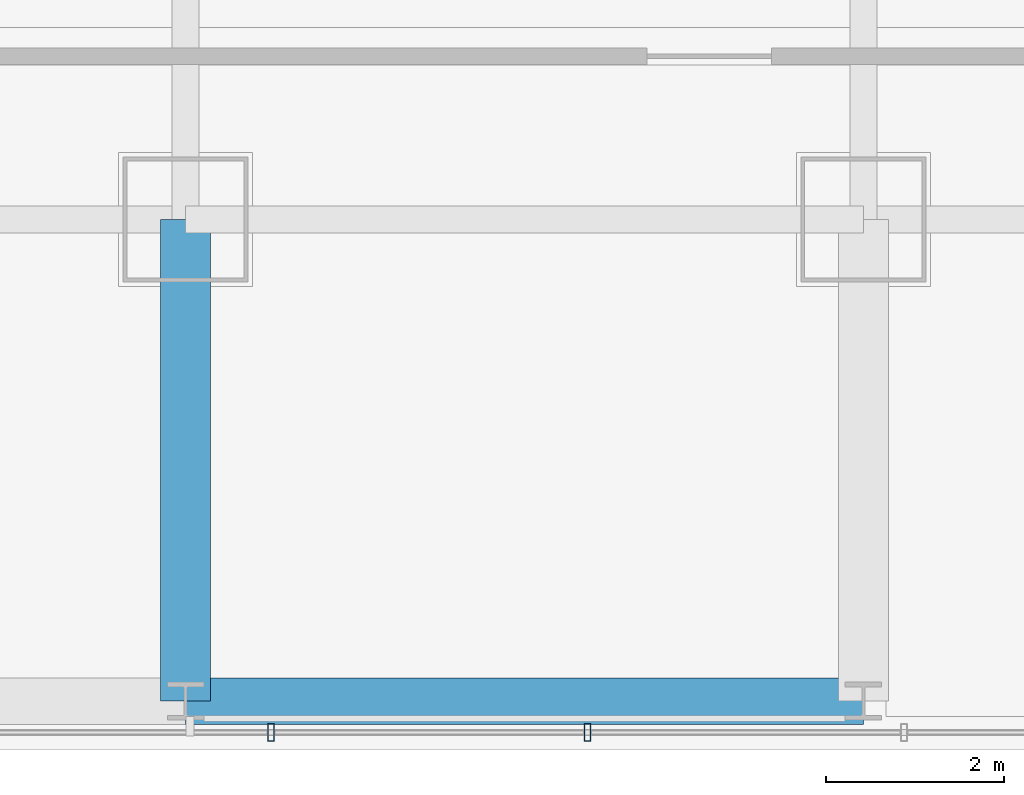
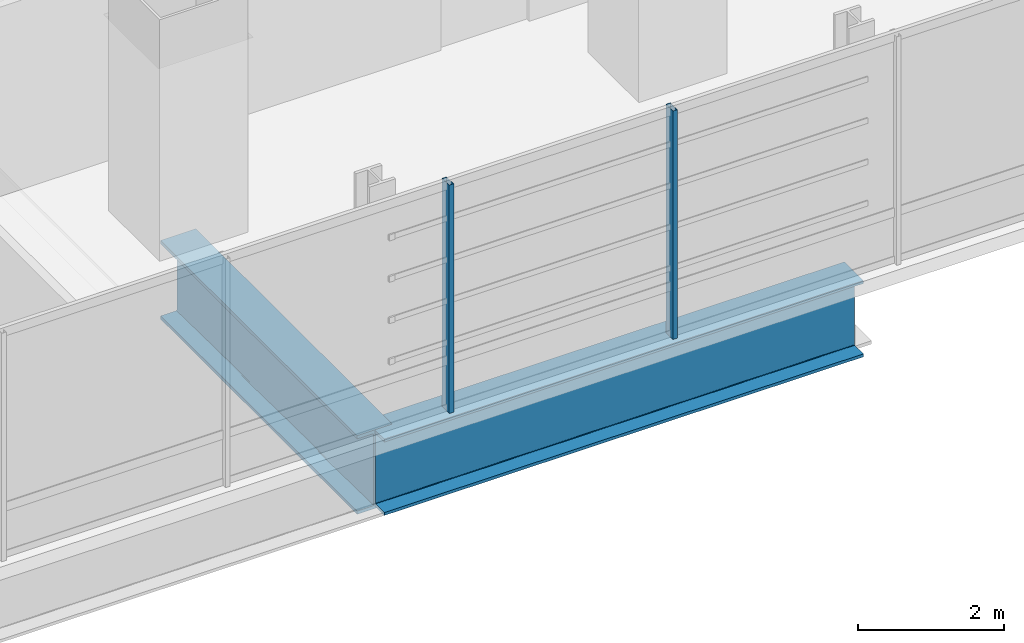
# One storey, part 5 of 37: 2 beams, 2 members, 1 element without a shape of its own.
"""IFC4 building model written with IfcOpenShell, lengths in metres."""

from ifc_helpers import new_model, si_unit, direction, frame, origin, origin_2d, place, context, subcontext, project, spatial, hollow_rectangle, i_section, extrude, material, material_profile, profile_set, type_object, element, aggregate, save


model = new_model("IFC4")

# Units and contexts
model_context = context("Model", 3, precision=1e-05, world=origin(), true_north=direction((0.0, 1.0)))
body_context = subcontext(model_context, "Body", "Model", "MODEL_VIEW")
ifc_project = project(units=[si_unit("LENGTHUNIT", "METRE"), si_unit("AREAUNIT", "SQUARE_METRE"), si_unit("VOLUMEUNIT", "CUBIC_METRE"), si_unit("PLANEANGLEUNIT", "RADIAN"), si_unit("MASSUNIT", "GRAM", prefix="KILO")], contexts=[model_context])

# Site, building, storey
site_placement = place(None, origin())
site = spatial("IfcSite", under=ifc_project, at=site_placement, CompositionType="ELEMENT")
building_placement = place(site_placement, origin())
building = spatial("IfcBuilding", under=site, at=building_placement, Name="Punatoya Terracotta Tower", CompositionType="ELEMENT")
storey_placement = place(building_placement, frame((0.0, 0.0, 224.85009765625)))
storey = spatial("IfcBuildingStorey", under=building, at=storey_placement, Name="L53", CompositionType="ELEMENT", Elevation=224.85009765625)

# Beams
ifc_material_1 = material(Name="Steel S460", Category="steel")
ifc_material_profile_1 = material_profile(ifc_material_1, i_section(OverallWidth=0.56005859375, OverallDepth=1.320068359375, WebThickness=0.035888671875, FlangeThickness=0.054931640625, FilletRadius=0.01806640625, at=origin_2d()))
ifc_profile_set_1 = profile_set([ifc_material_profile_1], Name="Steel S460")
beam_type_1 = type_object("IfcBeamType", Name="BM-TG-BLK", PredefinedType="BEAM", material=ifc_profile_set_1)
beam_1_placement = place(storey_placement, frame((-3.800048828125, -22.89990234375, -0.880126953125), z_axis=(0.0, 1.0, 0.0), x_axis=(-1.0, 0.0, 0.0)))
element("IfcBeam", 1, at=beam_1_placement, inside=storey, type_object=beam_type_1, Name="BM-L53-CANT-S2", PredefinedType="BEAM", context=body_context, shape_type="SweptSolid", body=[
    extrude(i_section(OverallWidth=0.56005859375, OverallDepth=1.320068359375, WebThickness=0.035888671875, FlangeThickness=0.054931640625, FilletRadius=0.01806640625, at=origin_2d()), origin(), (0.0, 0.0, 1.0), 5.39990234375),
])
ifc_material_profile_2 = material_profile(ifc_material_1, i_section(OverallWidth=0.52001953125, OverallDepth=1.280029296875, WebThickness=0.031982421875, FlangeThickness=0.050048828125, FilletRadius=0.01806640625, at=origin_2d()))
ifc_profile_set_2 = profile_set([ifc_material_profile_2], Name="Steel S460")
beam_type_2 = type_object("IfcBeamType", Name="BM-TG-NCK", PredefinedType="BEAM", material=ifc_profile_set_2)
beam_2_placement = place(storey_placement, frame((-3.800048828125, -22.89990234375, -0.860107421875), z_axis=(1.0, 0.0, 0.0), x_axis=(0.0, 1.0, 0.0)))
element("IfcBeam", 2, at=beam_2_placement, inside=storey, type_object=beam_type_2, Name="BM-L53-PER-S2", PredefinedType="BEAM", context=body_context, shape_type="SweptSolid", body=[
    extrude(i_section(OverallWidth=0.52001953125, OverallDepth=1.280029296875, WebThickness=0.031982421875, FlangeThickness=0.050048828125, FilletRadius=0.01806640625, at=origin_2d()), origin(), (0.0, 0.0, 1.0), 7.60009765625),
])

# Curtain wall, members
ifc_material_2 = material(Name="Aluminium 6063-T6 + Double Low-E Glass", Category="aluminium")
curtain_wall_type = type_object("IfcCurtainWallType", Name="CW-M2", PredefinedType="NOTDEFINED", material=ifc_material_2)
curtain_wall_placement = place(storey_placement, origin())
curtain_wall = element("IfcCurtainWall", 3, at=curtain_wall_placement, inside=storey, type_object=curtain_wall_type, Name="L53 Curtain Wall CW-L53-S01-1", PredefinedType="NOTDEFINED")
ifc_material_3 = material(Name="Aluminium 6063-T6", Category="aluminium")
ifc_material_profile_3 = material_profile(ifc_material_3, hollow_rectangle(XDim=0.072021484375, YDim=0.195068359375, WallThickness=0.00439453125, at=origin_2d()))
ifc_profile_set_3 = profile_set([ifc_material_profile_3], Name="Aluminium 6063-T6")
member_type = type_object("IfcMemberType", Name="CW-MUL-M2", PredefinedType="MULLION", material=ifc_profile_set_3)
member_1_placement = place(storey_placement, frame((-2.842041015625, -23.25, 0.0), z_axis=(0.0, 0.0, 1.0), x_axis=(1.0, 0.0, 0.0)))
member_1 = element("IfcMember", 4, at=member_1_placement, type_object=member_type, Name="CW-L53-S01-1 Mullion 04", PredefinedType="MULLION", context=body_context, shape_type="SweptSolid", body=[
    extrude(hollow_rectangle(XDim=0.072021484375, YDim=0.195068359375, WallThickness=0.00439453125, at=origin_2d()), origin(), (0.0, 0.0, 1.0), 3.829833984375),
])
member_2_placement = place(storey_placement, frame((0.70654296875, -23.25, 0.0), z_axis=(0.0, 0.0, 1.0), x_axis=(1.0, 0.0, 0.0)))
member_2 = element("IfcMember", 5, at=member_2_placement, type_object=member_type, Name="CW-L53-S01-1 Mullion 05", PredefinedType="MULLION", context=body_context, shape_type="SweptSolid", body=[
    extrude(hollow_rectangle(XDim=0.072021484375, YDim=0.195068359375, WallThickness=0.00439453125, at=origin_2d()), origin(), (0.0, 0.0, 1.0), 3.829833984375),
])
aggregate(curtain_wall, [member_1, member_2])

save(model, "model.ifc")
